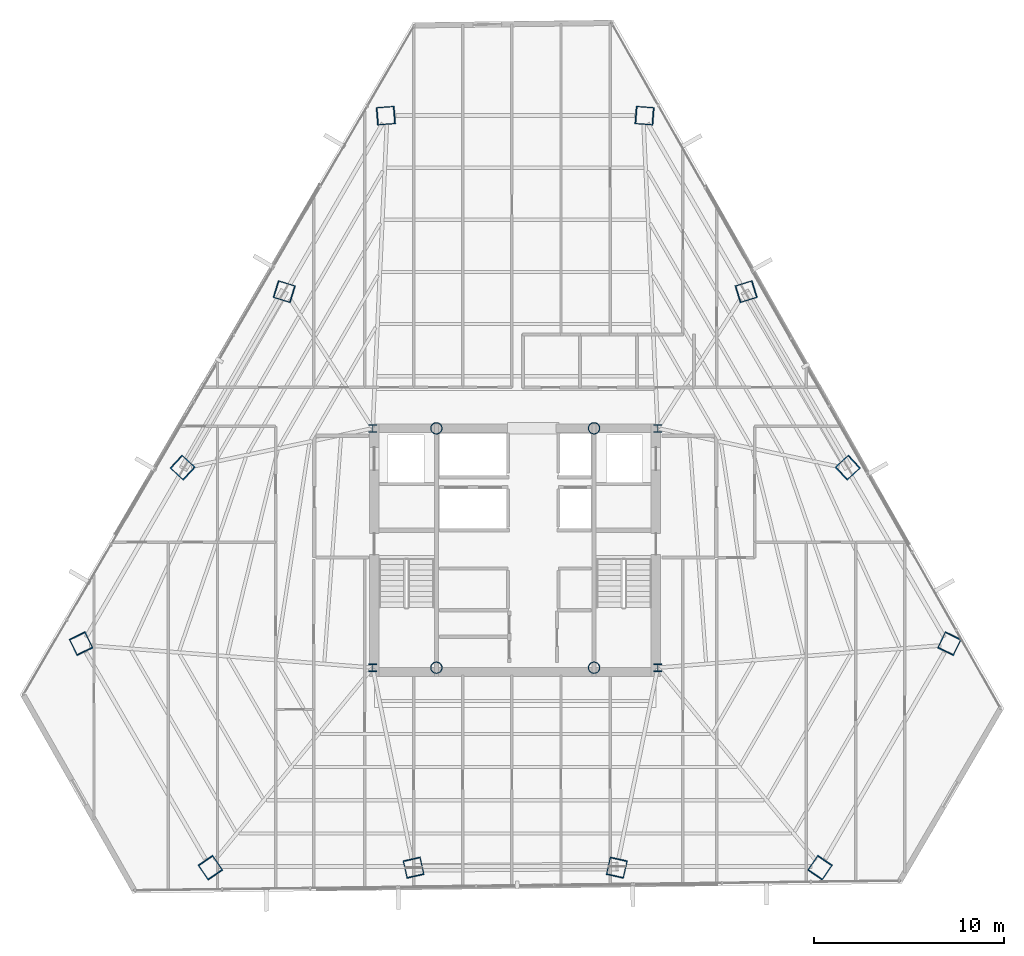
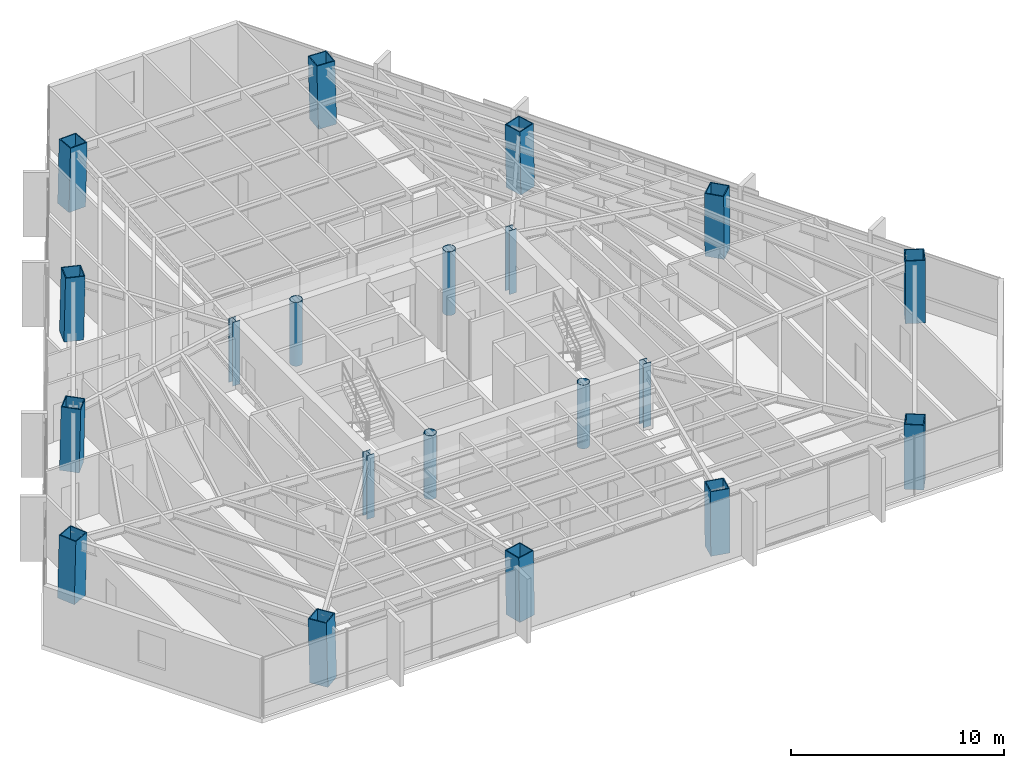
# One storey, part 1 of 42: 20 columns.
"""IFC4 building model written with IfcOpenShell, lengths in metres."""

from ifc_helpers import new_model, si_unit, direction, frame, origin, origin_2d, place, context, subcontext, project, spatial, hollow_rectangle, hollow_circle, i_section, extrude, source, transform, mapped, material, material_profile, profile_set, type_object, type_shapes, element, save


model = new_model("IFC4")

# Units and contexts
model_context = context("Model", 3, precision=1e-05, world=origin(), true_north=direction((0.0, 1.0)))
body_context = subcontext(model_context, "Body", "Model", "MODEL_VIEW")
ifc_project = project(units=[si_unit("LENGTHUNIT", "METRE"), si_unit("AREAUNIT", "SQUARE_METRE"), si_unit("VOLUMEUNIT", "CUBIC_METRE"), si_unit("PLANEANGLEUNIT", "RADIAN"), si_unit("MASSUNIT", "GRAM", prefix="KILO")], contexts=[model_context])

# Site, building, storey
site_placement = place(None, origin())
site = spatial("IfcSite", under=ifc_project, at=site_placement, CompositionType="ELEMENT")
building_placement = place(site_placement, origin())
building = spatial("IfcBuilding", under=site, at=building_placement, Name="Caelisora Broadcast Tower", CompositionType="ELEMENT")
storey_placement = place(building_placement, frame((0.0, 0.0, 131.800048828125)))
storey = spatial("IfcBuildingStorey", under=building, at=storey_placement, Name="L34", CompositionType="ELEMENT", Elevation=131.800048828125)

# Columns
ifc_material_1 = material(Name="Steel Grade 350 (AS/NZS 3679.2)", Category="steel")
ifc_material_profile_1 = material_profile(ifc_material_1, i_section(OverallWidth=0.39990234375, OverallDepth=0.39990234375, WebThickness=0.02001953125, FlangeThickness=0.031982421875, at=origin_2d()), Name="Steel Grade 350 (AS/NZS 3679.2)")
ifc_profile_set_1 = profile_set([ifc_material_profile_1], Name="Steel Grade 350 (AS/NZS 3679.2)")
column_type_1 = type_object("IfcColumnType", Name="CC02", PredefinedType="COLUMN", material=ifc_profile_set_1)
shared_shape_1 = source(origin(), body_context, "Body", "SweptSolid", [
    extrude(i_section(OverallWidth=0.39990234375, OverallDepth=0.39990234375, WebThickness=0.02001953125, FlangeThickness=0.031982421875, at=origin_2d()), origin(), (0.0, 0.0, 1.0), 3.64990234375),
])
type_shapes(column_type_1, [shared_shape_1])
for number, where, z_axis, x_axis, name in (
    (1, (30.5, 17.39990234375, 0.0), (0.0, 0.0, 1.0), (1.0, 0.0, 0.0), "L34 column CC02"),
    (2, (45.5, 17.39990234375, 0.0), (0.0, 0.0, 1.0), (1.0, 0.0, 0.0), "L34 column CC02"),
    (3, (45.5, 30.0, 0.0), (0.0, 0.0, 1.0), (1.0, 0.0, 0.0), "L34 column CC02"),
    (4, (30.5, 30.0, 0.0), (0.0, 0.0, 1.0), (1.0, 0.0, 0.0), "L34 column CC02"),
):
    element("IfcColumn", number, at=place(storey_placement, frame(where, z_axis=z_axis, x_axis=x_axis)), inside=storey, type_object=column_type_1, Name=name, PredefinedType="COLUMN", context=body_context, shape_type="MappedRepresentation", body=[
        mapped(shared_shape_1, transform((0.0, 0.0, 0.0), scale=1.0)),
    ])
ifc_material_2 = material(Name="Steel Grade 350 L15 (AS/NZS 3678)", Category="steel")
ifc_material_profile_2 = material_profile(ifc_material_2, hollow_circle(Radius=0.304931640625, WallThickness=0.02490234375, at=origin_2d()), Name="Steel Grade 350 L15 (AS/NZS 3678)")
ifc_profile_set_2 = profile_set([ifc_material_profile_2], Name="Steel Grade 350 L15 (AS/NZS 3678)")
column_type_2 = type_object("IfcColumnType", Name="CC06", PredefinedType="COLUMN", material=ifc_profile_set_2)
shared_shape_2 = source(origin(), body_context, "Body", "SweptSolid", [
    extrude(hollow_circle(Radius=0.304931640625, WallThickness=0.02490234375, at=origin_2d()), origin(), (0.0, 0.0, 1.0), 3.64990234375),
])
type_shapes(column_type_2, [shared_shape_2])
for number, where, z_axis, x_axis, name in (
    (5, (33.85009765625, 17.39990234375, 0.0), (0.0, 0.0, 1.0), (1.0, 0.0, 0.0), "L34 column CC06"),
    (6, (42.14990234375, 17.39990234375, 0.0), (0.0, 0.0, 1.0), (1.0, 0.0, 0.0), "L34 column CC06"),
    (7, (33.85009765625, 30.0, 0.0), (0.0, 0.0, 1.0), (1.0, 0.0, 0.0), "L34 column CC06"),
    (8, (42.14990234375, 30.0, 0.0), (0.0, 0.0, 1.0), (1.0, 0.0, 0.0), "L34 column CC06"),
):
    element("IfcColumn", number, at=place(storey_placement, frame(where, z_axis=z_axis, x_axis=x_axis)), inside=storey, type_object=column_type_2, Name=name, PredefinedType="COLUMN", context=body_context, shape_type="MappedRepresentation", body=[
        mapped(shared_shape_2, transform((0.0, 0.0, 0.0), scale=1.0)),
    ])
ifc_material_profile_3 = material_profile(ifc_material_2, hollow_rectangle(XDim=0.949951171875, YDim=0.949951171875, WallThickness=0.050048828125, at=origin_2d()), Name="Steel Grade 350 L15 (AS/NZS 3678)")
ifc_profile_set_3 = profile_set([ifc_material_profile_3], Name="Steel Grade 350 L15 (AS/NZS 3678)")
column_type_3 = type_object("IfcColumnType", Name="MC04", PredefinedType="COLUMN", material=ifc_profile_set_3)
shared_shape_3 = source(origin(), body_context, "Body", "SweptSolid", [
    extrude(hollow_rectangle(XDim=0.949951171875, YDim=0.949951171875, WallThickness=0.050048828125, at=origin_2d()), origin(), (0.0, 0.0, 1.0), 3.65087890625),
])
for number, where, z_axis, x_axis, name in (
    (9, (44.822509765625, 46.455322265625, 0.0), (-0.023939586357, 0.00180549953, 0.999711776652), (-0.075205412575, -0.997168063026, 0.0), "L34 column MC04"),
    (10, (31.177490234375, 46.455322265625, 0.0), (0.023939586357, 0.00180549953, 0.999711776652), (-0.075205412575, 0.997168063026, 0.0), "L34 column MC04"),
    (11, (15.141845703125, 18.6806640625, 0.0), (0.010431795422, -0.021532295679, 0.999713727968), (0.899947055326, 0.435999194506, 0.0), "L34 column MC04"),
    (12, (21.96435546875, 6.864013671875, 0.0), (-0.013507825582, 0.019793645407, 0.999712833893), (-0.825991119814, -0.563683129062, 0.0), "L34 column MC04"),
    (13, (54.03564453125, 6.864013671875, 0.0), (0.013507825582, 0.019793645407, 0.999712833893), (-0.825991119814, 0.563683129062, 0.0), "L34 column MC04"),
    (14, (60.858154296875, 18.6806640625, 0.0), (-0.010431795422, -0.021532295679, 0.999713727968), (0.899947055326, -0.435999194506, 0.0), "L34 column MC04"),
):
    element("IfcColumn", number, at=place(storey_placement, frame(where, z_axis=z_axis, x_axis=x_axis)), inside=storey, type_object=column_type_3, Name=name, PredefinedType="COLUMN", context=body_context, shape_type="MappedRepresentation", body=[
        mapped(shared_shape_3, transform((0.0, 0.0, 0.0), scale=1.0)),
    ])
shared_shape_4 = source(origin(), body_context, "Body", "SweptSolid", [
    extrude(hollow_rectangle(XDim=0.949951171875, YDim=0.949951171875, WallThickness=0.050048828125, at=origin_2d()), origin(), (0.0, 0.0, 1.0), 3.650634765625),
])
type_shapes(column_type_3, [shared_shape_3, shared_shape_4])
for number, where, z_axis, x_axis, name in (
    (15, (25.832275390625, 37.197265625, 0.0), (0.019460844042, -0.006018817745, 0.999792503164), (0.295469722922, 0.955352104115, 0.0), "L34 column MC04"),
    (16, (20.487060546875, 27.93896484375, 0.0), (0.014913313399, -0.013776424037, 0.999793880369), (0.678553674548, 0.734550822447, 0.0), "L34 column MC04"),
    (17, (32.65478515625, 6.864013671875, 0.0), (-0.004480682206, 0.019795252729, 0.999794014513), (-0.975326687046, -0.220766513622, 0.0), "L34 column MC04"),
    (18, (43.34521484375, 6.864013671875, 0.0), (0.004480682206, 0.019795252729, 0.999794014513), (-0.975326687046, 0.220766513622, 0.0), "L34 column MC04"),
    (19, (55.512939453125, 27.93896484375, 0.0), (-0.014913313399, -0.013776424037, 0.999793880369), (0.678553674548, -0.734550822447, 0.0), "L34 column MC04"),
    (20, (50.167724609375, 37.197265625, 0.0), (-0.019460844042, -0.006018817745, 0.999792503164), (0.295469722922, -0.955352104115, 0.0), "L34 column MC04"),
):
    element("IfcColumn", number, at=place(storey_placement, frame(where, z_axis=z_axis, x_axis=x_axis)), inside=storey, type_object=column_type_3, Name=name, PredefinedType="COLUMN", context=body_context, shape_type="MappedRepresentation", body=[
        mapped(shared_shape_4, transform((0.0, 0.0, 0.0), scale=1.0)),
    ])

save(model, "model.ifc")
